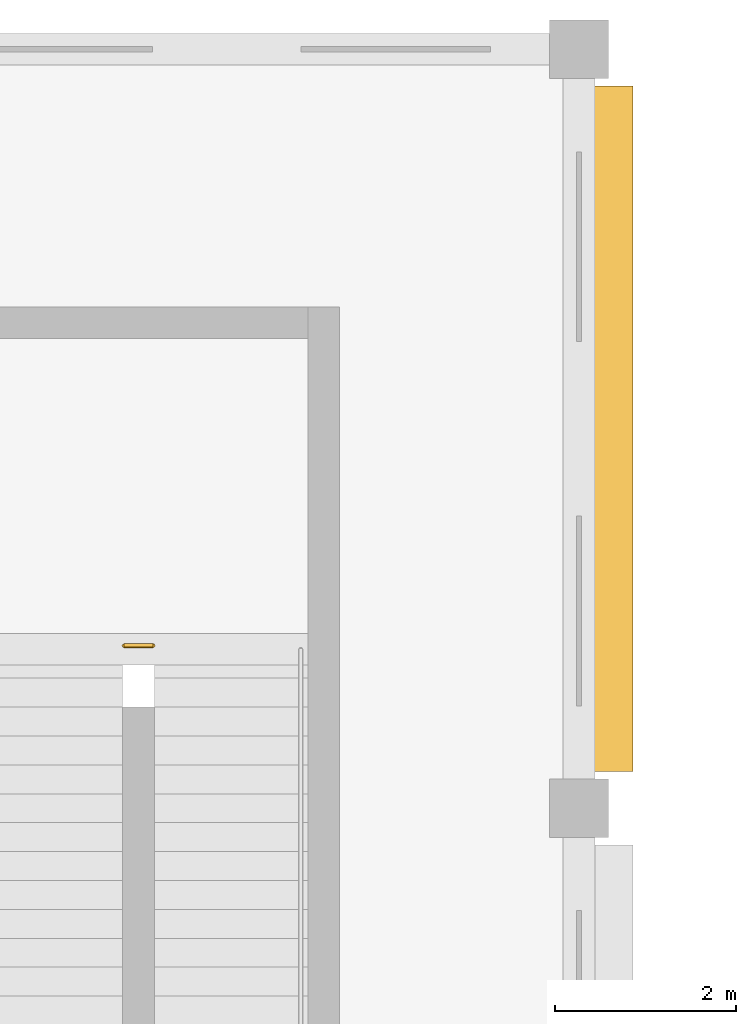
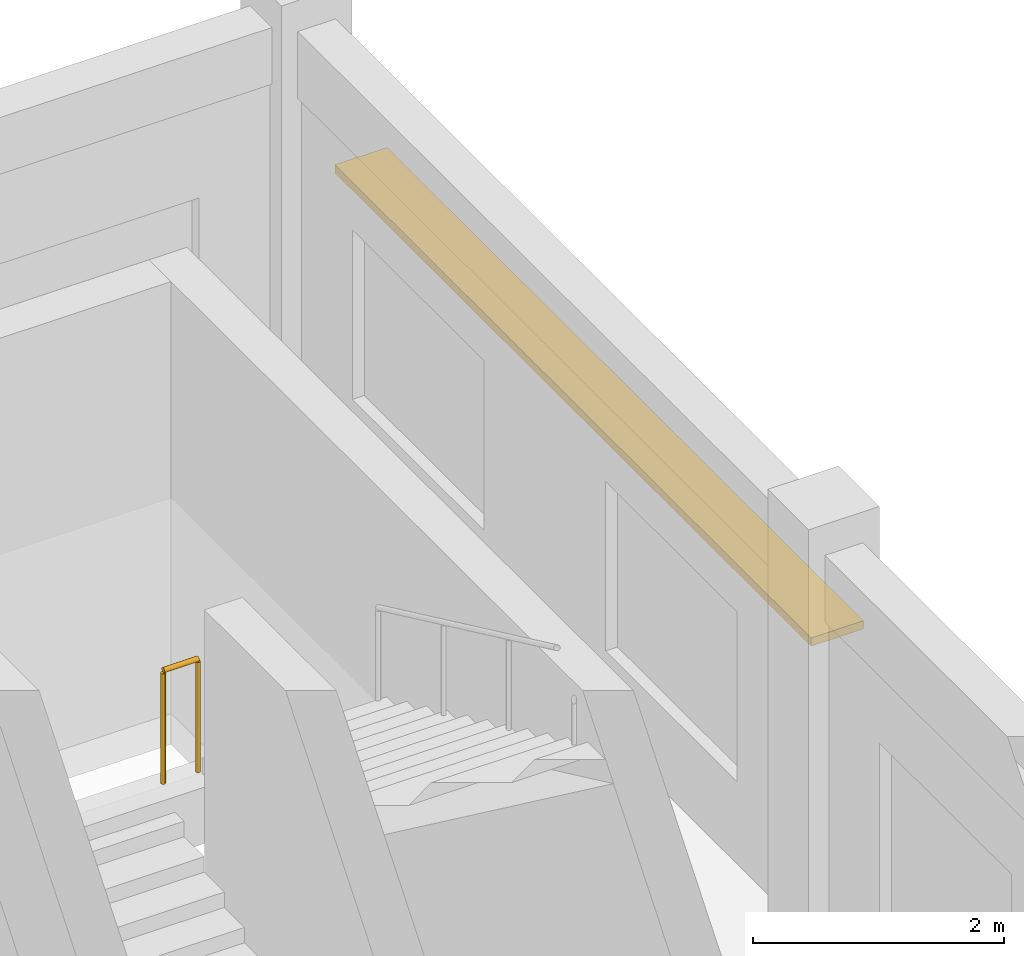
# One storey, part 31 of 32: 1 railing, 1 shading device.
"""IFC4 building model written with IfcOpenShell, lengths in metres."""

from ifc_helpers import new_model, si_unit, direction, frame, origin, origin_2d, place, context, subcontext, project, spatial, rectangle, circle, extrude, material, layer, layer_set, type_object, element, save


model = new_model("IFC4")

# Units and contexts
model_context = context("Model", 3, precision=1e-05, world=origin(), true_north=direction((0.0, 1.0)))
body_context = subcontext(model_context, "Body", "Model", "MODEL_VIEW")
ifc_project = project(units=[si_unit("LENGTHUNIT", "METRE"), si_unit("AREAUNIT", "SQUARE_METRE"), si_unit("VOLUMEUNIT", "CUBIC_METRE"), si_unit("PLANEANGLEUNIT", "RADIAN"), si_unit("MASSUNIT", "GRAM", prefix="KILO"), si_unit("THERMODYNAMICTEMPERATUREUNIT", "KELVIN"), si_unit("POWERUNIT", "WATT")], contexts=[model_context])

# Site, building, storey
site_placement = place(None, origin())
site = spatial("IfcSite", under=ifc_project, at=site_placement, CompositionType="ELEMENT")
building_placement = place(site_placement, origin())
building = spatial("IfcBuilding", under=site, at=building_placement, Name="Srebrne Nadtorze General Hospital", CompositionType="ELEMENT")
storey_placement = place(building_placement, frame((0.0, 0.0, 29.699951171875)))
storey = spatial("IfcBuildingStorey", under=building, at=storey_placement, Name="L07", CompositionType="ELEMENT", Elevation=29.699951171875)

# Shading device
ifc_material_1 = material(Name="Anodised Aluminium", Category="aluminium")
ifc_layer = layer(ifc_material_1, 0.080078125)
ifc_layer_set = layer_set([ifc_layer], Name="Anodised Aluminium")
shading_device_type = type_object("IfcShadingDeviceType", Name="Hisashi horizontal aluminium sunshade", PredefinedType="JALOUSIE", material=ifc_layer_set)
shading_device_placement = place(storey_placement, frame((54.9599609375, 88.199951171875, 2.469970703125), z_axis=(0.0, 0.0, 1.0), x_axis=(1.0, 0.0, 0.0)))
element("IfcShadingDevice", 1, at=shading_device_placement, inside=storey, type_object=shading_device_type, Name="Hisashi horizontal sunshade eave LV-416", PredefinedType="JALOUSIE", context=body_context, shape_type="SweptSolid", body=[
    extrude(rectangle(XDim=0.47998046875, YDim=7.590087890625, at=origin_2d()), origin(), (0.0, 0.0, 1.0), 0.080078125),
])

# Railing
ifc_material_2 = material(Name="Stainless Steel 316", Category="steel")
railing_type = type_object("IfcRailingType", Name="Stairwell safety guard 1120", PredefinedType="BALUSTRADE", material=ifc_material_2)
railing_placement = place(storey_placement, frame((49.56494140625, 85.800048828125, 2.10009765625)))
element("IfcRailing", 2, at=railing_placement, inside=storey, type_object=railing_type, Name="Half landing well guard ST-02-L07", PredefinedType="BALUSTRADE", context=body_context, shape_type="SweptSolid", body=[
    extrude(circle(Radius=0.02392578125, at=origin_2d()), frame((0.0, 0.0, 1.09619140625), z_axis=(1.0, 0.0, 0.0), x_axis=(0.0, 1.0, 0.0)), (0.0, 0.0, 1.0), 0.320068359375),
    extrude(circle(Radius=0.02099609375, at=origin_2d()), origin(), (0.0, 0.0, 1.0), 1.072021484375),
    extrude(circle(Radius=0.02099609375, at=origin_2d()), frame((0.320068359375, 0.0, 0.0)), (0.0, 0.0, 1.0), 1.072021484375),
])

save(model, "model.ifc")
